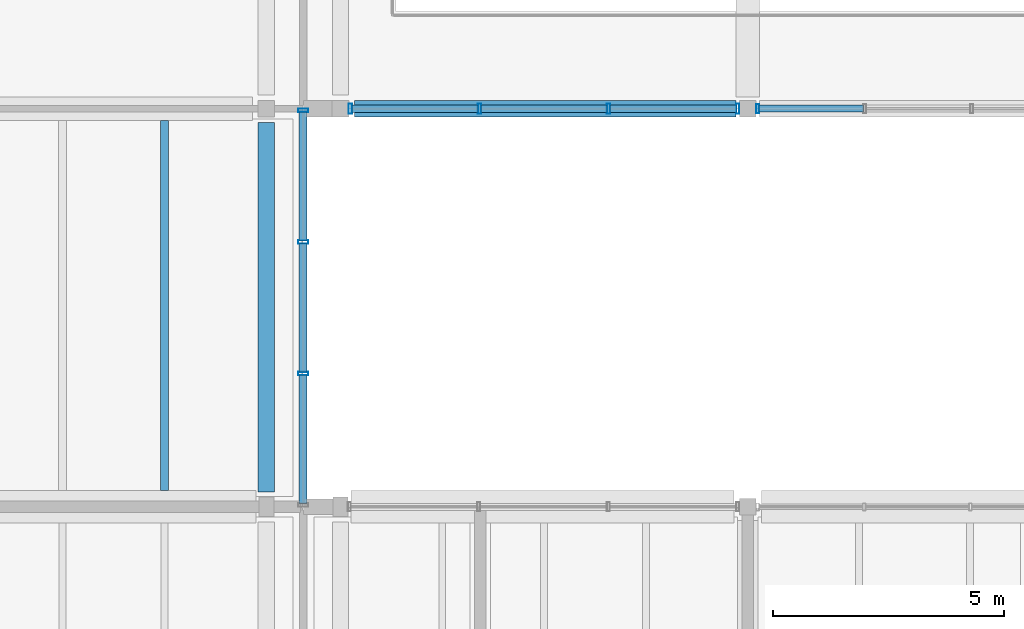
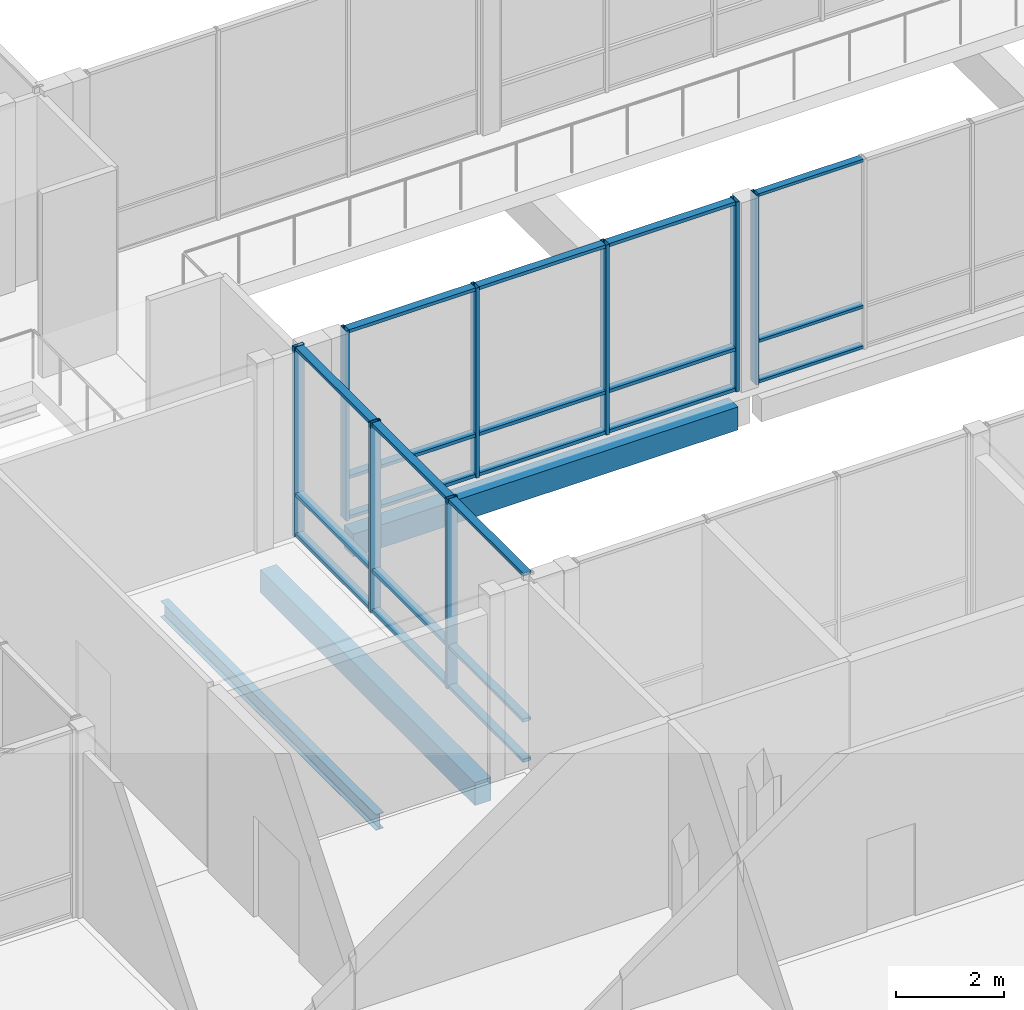
# One storey, part 64 of 146: 29 members, 3 beams, 3 elements without a shape of their own.
"""IFC4 building model written with IfcOpenShell, lengths in metres."""

from ifc_helpers import new_model, si_unit, direction, frame, origin, origin_2d, place, context, subcontext, project, spatial, rectangle, hollow_rectangle, i_section, extrude, material, material_profile, profile_set, type_object, element, aggregate, save


model = new_model("IFC4")

# Units and contexts
model_context = context("Model", 3, precision=1e-05, world=origin(), true_north=direction((0.0, 1.0)))
body_context = subcontext(model_context, "Body", "Model", "MODEL_VIEW")
ifc_project = project(units=[si_unit("LENGTHUNIT", "METRE"), si_unit("AREAUNIT", "SQUARE_METRE"), si_unit("VOLUMEUNIT", "CUBIC_METRE"), si_unit("PLANEANGLEUNIT", "RADIAN"), si_unit("MASSUNIT", "GRAM", prefix="KILO")], contexts=[model_context])

# Site, building, storey
site_placement = place(None, origin())
site = spatial("IfcSite", under=ifc_project, at=site_placement, CompositionType="ELEMENT")
building_placement = place(site_placement, origin())
building = spatial("IfcBuilding", under=site, at=building_placement, Name="Hawrajan Terrace Health Centre", CompositionType="ELEMENT")
storey_placement = place(building_placement, frame((0.0, 0.0, 4.5)))
storey = spatial("IfcBuildingStorey", under=building, at=storey_placement, Name="L01", CompositionType="ELEMENT", Elevation=4.5)

# Curtain wall, member
ifc_material_1 = material(Name="Anodized bronze aluminium and low-E solar glazing", Category="aluminium")
curtain_wall_type_1 = type_object("IfcCurtainWallType", Name="CW_Setback_SeriesL1", PredefinedType="USERDEFINED", material=ifc_material_1)
curtain_wall_1_placement = place(storey_placement, origin())
curtain_wall_1 = element("IfcCurtainWall", 1, at=curtain_wall_1_placement, inside=storey, type_object=curtain_wall_type_1, Name="Curtain wall CW-L01-094", ObjectType="UNITISED CURTAIN WALL", PredefinedType="USERDEFINED")
ifc_material_2 = material(Name="Anodized bronze aluminium 6063-T6", Category="aluminium")
ifc_material_profile_1 = material_profile(ifc_material_2, hollow_rectangle(XDim=0.06494140625, YDim=0.199951171875, WallThickness=0.00439453125, at=origin_2d()), Name="CW MUL 65x200")
ifc_profile_set_1 = profile_set([ifc_material_profile_1], Name="Anodized bronze aluminium 6063-T6")
member_type_1 = type_object("IfcMemberType", Name="CWMullion_65x200", PredefinedType="MULLION", material=ifc_profile_set_1)
member_1_placement = place(storey_placement, frame((81.612548828125, 27.199951171875, -0.0048828125), z_axis=(0.0, 0.0, 1.0), x_axis=(1.0, 0.0, 0.0)))
member_1 = element("IfcMember", 2, at=member_1_placement, type_object=member_type_1, Name="Mullion CW-L01-094-M1", PredefinedType="MULLION", context=body_context, shape_type="SweptSolid", body=[
    extrude(hollow_rectangle(XDim=0.06494140625, YDim=0.199951171875, WallThickness=0.00439453125, at=origin_2d()), origin(), (0.0, 0.0, 1.0), 4.309814453125),
])

# Curtain wall, members
curtain_wall_type_2 = type_object("IfcCurtainWallType", Name="CW_Hall_SeriesD2", PredefinedType="USERDEFINED", material=ifc_material_1)
curtain_wall_2_placement = place(storey_placement, origin())
curtain_wall_2 = element("IfcCurtainWall", 3, at=curtain_wall_2_placement, inside=storey, type_object=curtain_wall_type_2, Name="Curtain wall CW-L01-083", ObjectType="UNITISED CURTAIN WALL", PredefinedType="USERDEFINED")
ifc_material_profile_2 = material_profile(ifc_material_2, hollow_rectangle(XDim=0.074951171875, YDim=0.219970703125, WallThickness=0.0048828125, at=origin_2d()), Name="CW MUL 75x220")
ifc_profile_set_2 = profile_set([ifc_material_profile_2], Name="Anodized bronze aluminium 6063-T6")
member_type_2 = type_object("IfcMemberType", Name="CWMullion_75x220", PredefinedType="MULLION", material=ifc_profile_set_2)
member_2_placement = place(storey_placement, frame((71.794921875, 21.479248046875, -0.0048828125), z_axis=(0.0, 0.0, 1.0), x_axis=(0.0, 1.0, 0.0)))
member_2 = element("IfcMember", 4, at=member_2_placement, type_object=member_type_2, Name="Mullion CW-L01-083-M2", PredefinedType="MULLION", context=body_context, shape_type="SweptSolid", body=[
    extrude(hollow_rectangle(XDim=0.074951171875, YDim=0.219970703125, WallThickness=0.0048828125, at=origin_2d()), origin(), (0.0, 0.0, 1.0), 4.309814453125),
])
member_3_placement = place(storey_placement, frame((71.794921875, 24.32080078125, -0.0048828125), z_axis=(0.0, 0.0, 1.0), x_axis=(0.0, 1.0, 0.0)))
member_3 = element("IfcMember", 5, at=member_3_placement, type_object=member_type_2, Name="Mullion CW-L01-083-M3", PredefinedType="MULLION", context=body_context, shape_type="SweptSolid", body=[
    extrude(hollow_rectangle(XDim=0.074951171875, YDim=0.219970703125, WallThickness=0.0048828125, at=origin_2d()), origin(), (0.0, 0.0, 1.0), 4.309814453125),
])
member_4_placement = place(storey_placement, frame((71.794921875, 27.16259765625, -0.0048828125), z_axis=(0.0, 0.0, 1.0), x_axis=(0.0, 1.0, 0.0)))
member_4 = element("IfcMember", 6, at=member_4_placement, type_object=member_type_2, Name="Mullion CW-L01-083-M4", PredefinedType="MULLION", context=body_context, shape_type="SweptSolid", body=[
    extrude(hollow_rectangle(XDim=0.074951171875, YDim=0.219970703125, WallThickness=0.0048828125, at=origin_2d()), origin(), (0.0, 0.0, 1.0), 4.309814453125),
])

curtain_wall_type_3 = type_object("IfcCurtainWallType", Name="CW_Clerestory_SeriesG2", PredefinedType="USERDEFINED", material=ifc_material_1)
curtain_wall_3_placement = place(storey_placement, origin())
curtain_wall_3 = element("IfcCurtainWall", 7, at=curtain_wall_3_placement, inside=storey, type_object=curtain_wall_type_3, Name="Curtain wall CW-L01-089", ObjectType="UNITISED CURTAIN WALL", PredefinedType="USERDEFINED")
member_5_placement = place(storey_placement, frame((72.8173828125, 27.199951171875, -0.0048828125), z_axis=(0.0, 0.0, 1.0), x_axis=(1.0, 0.0, 0.0)))
member_5 = element("IfcMember", 8, at=member_5_placement, type_object=member_type_2, Name="Mullion CW-L01-089-M1", PredefinedType="MULLION", context=body_context, shape_type="SweptSolid", body=[
    extrude(hollow_rectangle(XDim=0.074951171875, YDim=0.219970703125, WallThickness=0.0048828125, at=origin_2d()), origin(), (0.0, 0.0, 1.0), 4.309814453125),
])
member_6_placement = place(storey_placement, frame((75.605712890625, 27.199951171875, -0.0048828125), z_axis=(0.0, 0.0, 1.0), x_axis=(1.0, 0.0, 0.0)))
member_6 = element("IfcMember", 9, at=member_6_placement, type_object=member_type_2, Name="Mullion CW-L01-089-M2", PredefinedType="MULLION", context=body_context, shape_type="SweptSolid", body=[
    extrude(hollow_rectangle(XDim=0.074951171875, YDim=0.219970703125, WallThickness=0.0048828125, at=origin_2d()), origin(), (0.0, 0.0, 1.0), 4.309814453125),
])
member_7_placement = place(storey_placement, frame((78.394287109375, 27.199951171875, -0.0048828125), z_axis=(0.0, 0.0, 1.0), x_axis=(1.0, 0.0, 0.0)))
member_7 = element("IfcMember", 10, at=member_7_placement, type_object=member_type_2, Name="Mullion CW-L01-089-M3", PredefinedType="MULLION", context=body_context, shape_type="SweptSolid", body=[
    extrude(hollow_rectangle(XDim=0.074951171875, YDim=0.219970703125, WallThickness=0.0048828125, at=origin_2d()), origin(), (0.0, 0.0, 1.0), 4.309814453125),
])
member_8_placement = place(storey_placement, frame((81.1826171875, 27.199951171875, -0.0048828125), z_axis=(0.0, 0.0, 1.0), x_axis=(1.0, 0.0, 0.0)))
member_8 = element("IfcMember", 11, at=member_8_placement, type_object=member_type_2, Name="Mullion CW-L01-089-M4", PredefinedType="MULLION", context=body_context, shape_type="SweptSolid", body=[
    extrude(hollow_rectangle(XDim=0.074951171875, YDim=0.219970703125, WallThickness=0.0048828125, at=origin_2d()), origin(), (0.0, 0.0, 1.0), 4.309814453125),
])

# Member
ifc_material_profile_3 = material_profile(ifc_material_2, hollow_rectangle(XDim=0.06494140625, YDim=0.14990234375, WallThickness=0.00390625, at=origin_2d()), Name="CW TRN 65x150")
ifc_profile_set_3 = profile_set([ifc_material_profile_3], Name="Anodized bronze aluminium 6063-T6")
member_type_3 = type_object("IfcMemberType", Name="CWTransom_65x150", PredefinedType="USERDEFINED", material=ifc_profile_set_3)
member_9_placement = place(storey_placement, frame((81.638916015625, 27.199951171875, 0.032470703125), z_axis=(1.0, 0.0, 0.0), x_axis=(0.0, 0.0, 1.0)))
member_9 = element("IfcMember", 12, at=member_9_placement, type_object=member_type_3, Name="Transom CW-L01-094-T1-1", ObjectType="TRANSOM", PredefinedType="USERDEFINED", context=body_context, shape_type="SweptSolid", body=[
    extrude(hollow_rectangle(XDim=0.06494140625, YDim=0.14990234375, WallThickness=0.00390625, at=origin_2d()), origin(), (0.0, 0.0, 1.0), 2.258544921875),
])

member_10_placement = place(storey_placement, frame((81.638916015625, 27.199951171875, 0.949951171875), z_axis=(1.0, 0.0, 0.0), x_axis=(0.0, 0.0, 1.0)))
member_10 = element("IfcMember", 13, at=member_10_placement, type_object=member_type_3, Name="Transom CW-L01-094-T1-2", ObjectType="TRANSOM", PredefinedType="USERDEFINED", context=body_context, shape_type="SweptSolid", body=[
    extrude(hollow_rectangle(XDim=0.06494140625, YDim=0.14990234375, WallThickness=0.00390625, at=origin_2d()), origin(), (0.0, 0.0, 1.0), 2.258544921875),
])

member_11_placement = place(storey_placement, frame((81.638916015625, 27.199951171875, 4.267578125), z_axis=(1.0, 0.0, 0.0), x_axis=(0.0, 0.0, 1.0)))
member_11 = element("IfcMember", 14, at=member_11_placement, type_object=member_type_3, Name="Transom CW-L01-094-T1-3", ObjectType="TRANSOM", PredefinedType="USERDEFINED", context=body_context, shape_type="SweptSolid", body=[
    extrude(hollow_rectangle(XDim=0.06494140625, YDim=0.14990234375, WallThickness=0.00390625, at=origin_2d()), origin(), (0.0, 0.0, 1.0), 2.258544921875),
])

aggregate(curtain_wall_1, [member_1, member_9, member_10, member_11])

ifc_material_profile_4 = material_profile(ifc_material_2, hollow_rectangle(XDim=0.074951171875, YDim=0.169921875, WallThickness=0.00439453125, at=origin_2d()), Name="CW TRN 75x170")
ifc_profile_set_4 = profile_set([ifc_material_profile_4], Name="Anodized bronze aluminium 6063-T6")
member_type_4 = type_object("IfcMemberType", Name="CWTransom_75x170", PredefinedType="USERDEFINED", material=ifc_profile_set_4)
member_12_placement = place(storey_placement, frame((71.794921875, 18.6689453125, 0.03759765625), z_axis=(0.0, 1.0, 0.0), x_axis=(0.0, 0.0, 1.0)))
member_12 = element("IfcMember", 15, at=member_12_placement, type_object=member_type_4, Name="Transom CW-L01-083-T1-1", ObjectType="TRANSOM", PredefinedType="USERDEFINED", context=body_context, shape_type="SweptSolid", body=[
    extrude(hollow_rectangle(XDim=0.074951171875, YDim=0.169921875, WallThickness=0.00439453125, at=origin_2d()), origin(), (0.0, 0.0, 1.0), 2.77880859375),
])

member_13_placement = place(storey_placement, frame((71.794921875, 18.6689453125, 0.949951171875), z_axis=(0.0, 1.0, 0.0), x_axis=(0.0, 0.0, 1.0)))
member_13 = element("IfcMember", 16, at=member_13_placement, type_object=member_type_4, Name="Transom CW-L01-083-T1-2", ObjectType="TRANSOM", PredefinedType="USERDEFINED", context=body_context, shape_type="SweptSolid", body=[
    extrude(hollow_rectangle(XDim=0.074951171875, YDim=0.169921875, WallThickness=0.00439453125, at=origin_2d()), origin(), (0.0, 0.0, 1.0), 2.77880859375),
])

member_14_placement = place(storey_placement, frame((71.794921875, 18.6689453125, 4.262451171875), z_axis=(0.0, 1.0, 0.0), x_axis=(0.0, 0.0, 1.0)))
member_14 = element("IfcMember", 17, at=member_14_placement, type_object=member_type_4, Name="Transom CW-L01-083-T1-3", ObjectType="TRANSOM", PredefinedType="USERDEFINED", context=body_context, shape_type="SweptSolid", body=[
    extrude(hollow_rectangle(XDim=0.074951171875, YDim=0.169921875, WallThickness=0.00439453125, at=origin_2d()), origin(), (0.0, 0.0, 1.0), 2.77880859375),
])

member_15_placement = place(storey_placement, frame((71.794921875, 21.5107421875, 0.03759765625), z_axis=(0.0, 1.0, 0.0), x_axis=(0.0, 0.0, 1.0)))
member_15 = element("IfcMember", 18, at=member_15_placement, type_object=member_type_4, Name="Transom CW-L01-083-T2-1", ObjectType="TRANSOM", PredefinedType="USERDEFINED", context=body_context, shape_type="SweptSolid", body=[
    extrude(hollow_rectangle(XDim=0.074951171875, YDim=0.169921875, WallThickness=0.00439453125, at=origin_2d()), origin(), (0.0, 0.0, 1.0), 2.778564453125),
])

member_16_placement = place(storey_placement, frame((71.794921875, 21.5107421875, 0.949951171875), z_axis=(0.0, 1.0, 0.0), x_axis=(0.0, 0.0, 1.0)))
member_16 = element("IfcMember", 19, at=member_16_placement, type_object=member_type_4, Name="Transom CW-L01-083-T2-2", ObjectType="TRANSOM", PredefinedType="USERDEFINED", context=body_context, shape_type="SweptSolid", body=[
    extrude(hollow_rectangle(XDim=0.074951171875, YDim=0.169921875, WallThickness=0.00439453125, at=origin_2d()), origin(), (0.0, 0.0, 1.0), 2.778564453125),
])

member_17_placement = place(storey_placement, frame((71.794921875, 21.5107421875, 4.262451171875), z_axis=(0.0, 1.0, 0.0), x_axis=(0.0, 0.0, 1.0)))
member_17 = element("IfcMember", 20, at=member_17_placement, type_object=member_type_4, Name="Transom CW-L01-083-T2-3", ObjectType="TRANSOM", PredefinedType="USERDEFINED", context=body_context, shape_type="SweptSolid", body=[
    extrude(hollow_rectangle(XDim=0.074951171875, YDim=0.169921875, WallThickness=0.00439453125, at=origin_2d()), origin(), (0.0, 0.0, 1.0), 2.778564453125),
])

member_18_placement = place(storey_placement, frame((71.794921875, 24.352294921875, 0.03759765625), z_axis=(0.0, 1.0, 0.0), x_axis=(0.0, 0.0, 1.0)))
member_18 = element("IfcMember", 21, at=member_18_placement, type_object=member_type_4, Name="Transom CW-L01-083-T3-1", ObjectType="TRANSOM", PredefinedType="USERDEFINED", context=body_context, shape_type="SweptSolid", body=[
    extrude(hollow_rectangle(XDim=0.074951171875, YDim=0.169921875, WallThickness=0.00439453125, at=origin_2d()), origin(), (0.0, 0.0, 1.0), 2.77880859375),
])

member_19_placement = place(storey_placement, frame((71.794921875, 24.352294921875, 0.949951171875), z_axis=(0.0, 1.0, 0.0), x_axis=(0.0, 0.0, 1.0)))
member_19 = element("IfcMember", 22, at=member_19_placement, type_object=member_type_4, Name="Transom CW-L01-083-T3-2", ObjectType="TRANSOM", PredefinedType="USERDEFINED", context=body_context, shape_type="SweptSolid", body=[
    extrude(hollow_rectangle(XDim=0.074951171875, YDim=0.169921875, WallThickness=0.00439453125, at=origin_2d()), origin(), (0.0, 0.0, 1.0), 2.77880859375),
])

member_20_placement = place(storey_placement, frame((71.794921875, 24.352294921875, 4.262451171875), z_axis=(0.0, 1.0, 0.0), x_axis=(0.0, 0.0, 1.0)))
member_20 = element("IfcMember", 23, at=member_20_placement, type_object=member_type_4, Name="Transom CW-L01-083-T3-3", ObjectType="TRANSOM", PredefinedType="USERDEFINED", context=body_context, shape_type="SweptSolid", body=[
    extrude(hollow_rectangle(XDim=0.074951171875, YDim=0.169921875, WallThickness=0.00439453125, at=origin_2d()), origin(), (0.0, 0.0, 1.0), 2.77880859375),
])

aggregate(curtain_wall_2, [member_2, member_3, member_4, member_12, member_13, member_14, member_15, member_16, member_17, member_18, member_19, member_20])

member_21_placement = place(storey_placement, frame((72.84912109375, 27.199951171875, 0.03759765625), z_axis=(1.0, 0.0, 0.0), x_axis=(0.0, 0.0, 1.0)))
member_21 = element("IfcMember", 24, at=member_21_placement, type_object=member_type_4, Name="Transom CW-L01-089-T1-1", ObjectType="TRANSOM", PredefinedType="USERDEFINED", context=body_context, shape_type="SweptSolid", body=[
    extrude(hollow_rectangle(XDim=0.074951171875, YDim=0.169921875, WallThickness=0.00439453125, at=origin_2d()), origin(), (0.0, 0.0, 1.0), 2.72509765625),
])

member_22_placement = place(storey_placement, frame((72.84912109375, 27.199951171875, 0.949951171875), z_axis=(1.0, 0.0, 0.0), x_axis=(0.0, 0.0, 1.0)))
member_22 = element("IfcMember", 25, at=member_22_placement, type_object=member_type_4, Name="Transom CW-L01-089-T1-2", ObjectType="TRANSOM", PredefinedType="USERDEFINED", context=body_context, shape_type="SweptSolid", body=[
    extrude(hollow_rectangle(XDim=0.074951171875, YDim=0.169921875, WallThickness=0.00439453125, at=origin_2d()), origin(), (0.0, 0.0, 1.0), 2.72509765625),
])

member_23_placement = place(storey_placement, frame((72.84912109375, 27.199951171875, 4.262451171875), z_axis=(1.0, 0.0, 0.0), x_axis=(0.0, 0.0, 1.0)))
member_23 = element("IfcMember", 26, at=member_23_placement, type_object=member_type_4, Name="Transom CW-L01-089-T1-3", ObjectType="TRANSOM", PredefinedType="USERDEFINED", context=body_context, shape_type="SweptSolid", body=[
    extrude(hollow_rectangle(XDim=0.074951171875, YDim=0.169921875, WallThickness=0.00439453125, at=origin_2d()), origin(), (0.0, 0.0, 1.0), 2.72509765625),
])

member_24_placement = place(storey_placement, frame((75.63720703125, 27.199951171875, 0.03759765625), z_axis=(1.0, 0.0, 0.0), x_axis=(0.0, 0.0, 1.0)))
member_24 = element("IfcMember", 27, at=member_24_placement, type_object=member_type_4, Name="Transom CW-L01-089-T2-1", ObjectType="TRANSOM", PredefinedType="USERDEFINED", context=body_context, shape_type="SweptSolid", body=[
    extrude(hollow_rectangle(XDim=0.074951171875, YDim=0.169921875, WallThickness=0.00439453125, at=origin_2d()), origin(), (0.0, 0.0, 1.0), 2.7255859375),
])

member_25_placement = place(storey_placement, frame((75.63720703125, 27.199951171875, 0.949951171875), z_axis=(1.0, 0.0, 0.0), x_axis=(0.0, 0.0, 1.0)))
member_25 = element("IfcMember", 28, at=member_25_placement, type_object=member_type_4, Name="Transom CW-L01-089-T2-2", ObjectType="TRANSOM", PredefinedType="USERDEFINED", context=body_context, shape_type="SweptSolid", body=[
    extrude(hollow_rectangle(XDim=0.074951171875, YDim=0.169921875, WallThickness=0.00439453125, at=origin_2d()), origin(), (0.0, 0.0, 1.0), 2.7255859375),
])

member_26_placement = place(storey_placement, frame((75.63720703125, 27.199951171875, 4.262451171875), z_axis=(1.0, 0.0, 0.0), x_axis=(0.0, 0.0, 1.0)))
member_26 = element("IfcMember", 29, at=member_26_placement, type_object=member_type_4, Name="Transom CW-L01-089-T2-3", ObjectType="TRANSOM", PredefinedType="USERDEFINED", context=body_context, shape_type="SweptSolid", body=[
    extrude(hollow_rectangle(XDim=0.074951171875, YDim=0.169921875, WallThickness=0.00439453125, at=origin_2d()), origin(), (0.0, 0.0, 1.0), 2.7255859375),
])

member_27_placement = place(storey_placement, frame((78.42578125, 27.199951171875, 0.03759765625), z_axis=(1.0, 0.0, 0.0), x_axis=(0.0, 0.0, 1.0)))
member_27 = element("IfcMember", 30, at=member_27_placement, type_object=member_type_4, Name="Transom CW-L01-089-T3-1", ObjectType="TRANSOM", PredefinedType="USERDEFINED", context=body_context, shape_type="SweptSolid", body=[
    extrude(hollow_rectangle(XDim=0.074951171875, YDim=0.169921875, WallThickness=0.00439453125, at=origin_2d()), origin(), (0.0, 0.0, 1.0), 2.72509765625),
])

member_28_placement = place(storey_placement, frame((78.42578125, 27.199951171875, 0.949951171875), z_axis=(1.0, 0.0, 0.0), x_axis=(0.0, 0.0, 1.0)))
member_28 = element("IfcMember", 31, at=member_28_placement, type_object=member_type_4, Name="Transom CW-L01-089-T3-2", ObjectType="TRANSOM", PredefinedType="USERDEFINED", context=body_context, shape_type="SweptSolid", body=[
    extrude(hollow_rectangle(XDim=0.074951171875, YDim=0.169921875, WallThickness=0.00439453125, at=origin_2d()), origin(), (0.0, 0.0, 1.0), 2.72509765625),
])

member_29_placement = place(storey_placement, frame((78.42578125, 27.199951171875, 4.262451171875), z_axis=(1.0, 0.0, 0.0), x_axis=(0.0, 0.0, 1.0)))
member_29 = element("IfcMember", 32, at=member_29_placement, type_object=member_type_4, Name="Transom CW-L01-089-T3-3", ObjectType="TRANSOM", PredefinedType="USERDEFINED", context=body_context, shape_type="SweptSolid", body=[
    extrude(hollow_rectangle(XDim=0.074951171875, YDim=0.169921875, WallThickness=0.00439453125, at=origin_2d()), origin(), (0.0, 0.0, 1.0), 2.72509765625),
])

aggregate(curtain_wall_3, [member_5, member_6, member_7, member_8, member_21, member_22, member_23, member_24, member_25, member_26, member_27, member_28, member_29])

# Beams
ifc_material_3 = material(Name="Concrete C40/50", Category="concrete")
ifc_material_profile_5 = material_profile(ifc_material_3, rectangle(XDim=0.35009765625, YDim=0.52001953125, at=origin_2d()), Name="RC SP 350x520")
ifc_profile_set_5 = profile_set([ifc_material_profile_5], Name="Concrete C40/50")
beam_type_1 = type_object("IfcBeamType", Name="RCSpandrel_350x520", PredefinedType="SPANDREL", material=ifc_profile_set_5)
beam_1_placement = place(storey_placement, frame((71.0, 18.925048828125, -0.56005859375), z_axis=(0.0, 1.0, 0.0), x_axis=(-1.0, 0.0, 0.0)))
element("IfcBeam", 33, at=beam_1_placement, inside=storey, type_object=beam_type_1, Name="Beam BM-Y-L01-W-X10-3", PredefinedType="SPANDREL", context=body_context, shape_type="SweptSolid", body=[
    extrude(rectangle(XDim=0.35009765625, YDim=0.52001953125, at=origin_2d()), origin(), (0.0, 0.0, 1.0), 7.974853515625),
])
beam_2_placement = place(storey_placement, frame((72.89990234375, 27.199951171875, -0.56005859375), z_axis=(1.0, 0.0, 0.0), x_axis=(0.0, 1.0, 0.0)))
element("IfcBeam", 34, at=beam_2_placement, inside=storey, type_object=beam_type_1, Name="Beam BM-X-L01-C-10-Y4", PredefinedType="SPANDREL", context=body_context, shape_type="SweptSolid", body=[
    extrude(rectangle(XDim=0.35009765625, YDim=0.52001953125, at=origin_2d()), origin(), (0.0, 0.0, 1.0), 8.25),
])
ifc_material_4 = material(Name="Steel S355", Category="steel")
ifc_material_profile_6 = material_profile(ifc_material_4, i_section(OverallWidth=0.169921875, OverallDepth=0.360107421875, WebThickness=0.008056640625, FlangeThickness=0.0126953125, FilletRadius=0.01806640625, at=origin_2d()), Name="IPE 360")
ifc_profile_set_6 = profile_set([ifc_material_profile_6], Name="Steel S355")
beam_type_2 = type_object("IfcBeamType", Name="SteelBeam_IPE360", PredefinedType="BEAM", material=ifc_profile_set_6)
beam_3_placement = place(storey_placement, frame((68.800048828125, 18.949951171875, -0.47998046875), z_axis=(0.0, 1.0, 0.0), x_axis=(-1.0, 0.0, 0.0)))
element("IfcBeam", 35, at=beam_3_placement, inside=storey, type_object=beam_type_2, Name="Secondary joist JST-L01-W-09-3-3", PredefinedType="BEAM", context=body_context, shape_type="SweptSolid", body=[
    extrude(i_section(OverallWidth=0.169921875, OverallDepth=0.360107421875, WebThickness=0.008056640625, FlangeThickness=0.0126953125, FilletRadius=0.01806640625, at=origin_2d()), origin(), (0.0, 0.0, 1.0), 8.0),
])

save(model, "model.ifc")
